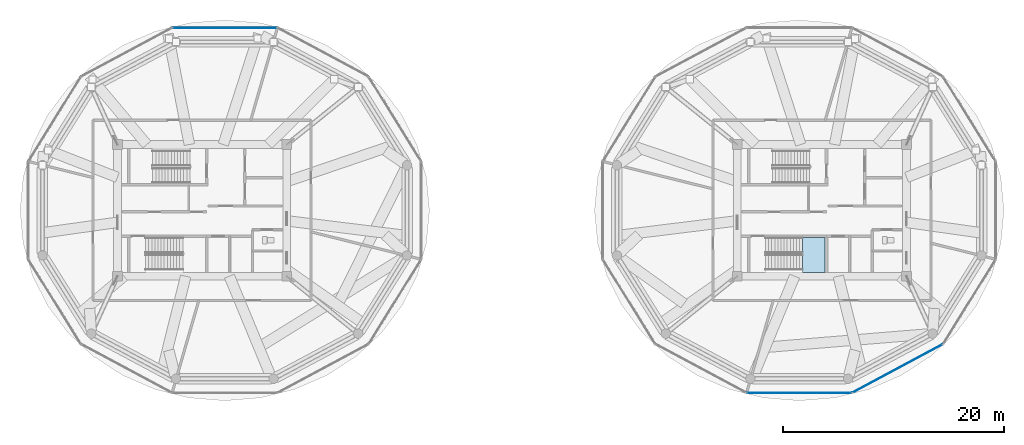
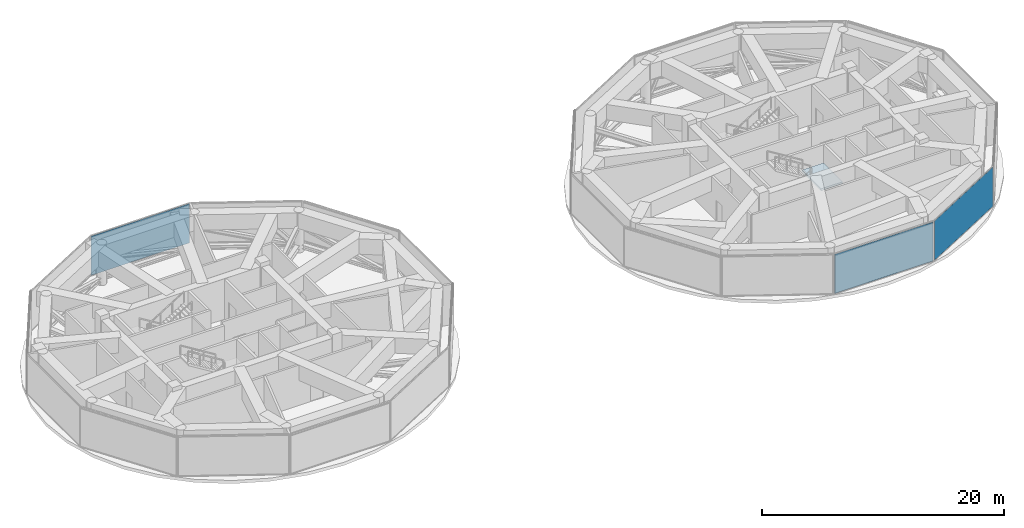
# One storey, part 14 of 23: 3 plates, 1 slab, 4 elements without a shape of their own.
"""IFC4 building model written with IfcOpenShell, lengths in metres."""

from ifc_helpers import new_model, si_unit, direction, frame, origin, origin_2d, place, context, subcontext, project, spatial, polyline, rectangle, outline, extrude, source, transform, mapped, material, layer, layer_set, type_object, type_shapes, element, aggregate, save


model = new_model("IFC4")

# Units and contexts
model_context = context("Model", 3, precision=1e-05, world=origin(), true_north=direction((0.0, 1.0)))
body_context = subcontext(model_context, "Body", "Model", "MODEL_VIEW")
ifc_project = project(units=[si_unit("LENGTHUNIT", "METRE"), si_unit("AREAUNIT", "SQUARE_METRE"), si_unit("VOLUMEUNIT", "CUBIC_METRE"), si_unit("PLANEANGLEUNIT", "RADIAN"), si_unit("MASSUNIT", "GRAM", prefix="KILO")], contexts=[model_context])

# Site, building, storey
site_placement = place(None, origin())
site = spatial("IfcSite", under=ifc_project, at=site_placement, CompositionType="ELEMENT")
building_placement = place(site_placement, origin())
building = spatial("IfcBuilding", under=site, at=building_placement, Name="Norrkilde Senior Care Towers", CompositionType="ELEMENT")
storey_placement = place(building_placement, frame((0.0, 0.0, 129.800048828125)))
storey = spatial("IfcBuildingStorey", under=building, at=storey_placement, Name="L40", CompositionType="ELEMENT", Elevation=129.800048828125)

# Stair, slab
ifc_material_1 = material(Name="Concrete C45/55", Category="concrete")
stair_type = type_object("IfcStairType", Name="Core Protected Dogleg Stair Refuge 4500", PredefinedType="HALF_TURN_STAIR", material=ifc_material_1)
stair_placement = place(storey_placement, origin())
stair = element("IfcStair", 1, at=stair_placement, inside=storey, type_object=stair_type, Name="L40 Protected Core Stair E2", PredefinedType="HALF_TURN_STAIR")
ifc_layer_1 = layer(ifc_material_1, 0.199951171875)
ifc_layer_set_1 = layer_set([ifc_layer_1], Name="Concrete C45/55")
slab_type = type_object("IfcSlabType", Name="Stair Landing Slab 200", PredefinedType="LANDING", material=ifc_layer_set_1)
slab_placement = place(storey_placement, frame((0.0, 0.0, 2.050048828125)))
slab = element("IfcSlab", 2, at=slab_placement, type_object=slab_type, Name="ST-E2 landing 1", PredefinedType="LANDING", context=body_context, shape_type="SweptSolid", body=[
    extrude(outline(polyline([(26.260009765625, -5.590087890625), (28.300048828125, -5.590087890625), (28.300048828125, -2.449951171875), (26.260009765625, -2.449951171875), (26.260009765625, -5.590087890625)])), origin(), (0.0, 0.0, 1.0), 0.199951171875),
])
aggregate(stair, [slab])

# Curtain wall, plate
ifc_material_2 = material(Name="Triple Low-E Insulated Glazing", Category="glass")
ifc_layer_2 = layer(ifc_material_2, 0.18505859375)
ifc_layer_set_2 = layer_set([ifc_layer_2], Name="Triple Low-E Insulated Glazing")
curtain_wall_type = type_object("IfcCurtainWallType", Name="CW6 Zone 4 Crown Pavilion Curtain Wall", PredefinedType="NOTDEFINED", material=ifc_layer_set_2)
curtain_wall_1_placement = place(storey_placement, origin())
curtain_wall_1 = element("IfcCurtainWall", 3, at=curtain_wall_1_placement, inside=storey, type_object=curtain_wall_type, Name="L40 Drum E Curtain Wall 09", PredefinedType="NOTDEFINED")
ifc_material_3 = material(Name="Architectural Terracotta", Category="masonry")
ifc_layer_3 = layer(ifc_material_3, 0.048095703125)
ifc_layer_set_3 = layer_set([ifc_layer_3], Name="Architectural Terracotta")
plate_type = type_object("IfcPlateType", Name="Insulated Terracotta Spandrel Panel 48", PredefinedType="CURTAIN_PANEL", material=ifc_layer_set_3)
shared_shape_1 = source(origin(), body_context, "Body", "SweptSolid", [
    extrude(rectangle(XDim=9.21044921875, YDim=0.048095703125, at=origin_2d()), origin(), (0.0, 0.0, 1.0), 3.949951171875),
])
plate_1_placement = place(storey_placement, frame((34.826904296875, -14.28759765625, 0.06494140625), z_axis=(0.0, 0.0, 1.0), x_axis=(-0.881186184668, -0.472769402511, 0.0)))
plate_1 = element("IfcPlate", 4, at=plate_1_placement, type_object=plate_type, Name="CW-6 panel 1.1", PredefinedType="CURTAIN_PANEL", context=body_context, shape_type="MappedRepresentation", body=[
    mapped(shared_shape_1, transform((0.0, 0.0, 0.0), x_axis=(1.0, 0.0, 0.0), y_axis=(0.0, 1.0, 0.0), z_axis=(0.0, 0.0, 1.0), scale=1.0)),
])
aggregate(curtain_wall_1, [plate_1])

curtain_wall_2_placement = place(storey_placement, origin())
curtain_wall_2 = element("IfcCurtainWall", 5, at=curtain_wall_2_placement, inside=storey, type_object=curtain_wall_type, Name="L40 Drum W Curtain Wall 02", PredefinedType="NOTDEFINED")
shared_shape_2 = source(origin(), body_context, "Body", "SweptSolid", [
    extrude(rectangle(XDim=9.374267578125, YDim=0.048095703125, at=origin_2d()), origin(), (0.0, 0.0, 1.0), 3.949951171875),
])
type_shapes(plate_type, [shared_shape_1, shared_shape_2])
plate_2_placement = place(storey_placement, frame((-25.949951171875, 16.498046875, 0.06494140625), z_axis=(0.0, 0.0, 1.0), x_axis=(1.0, 0.0, 0.0)))
plate_2 = element("IfcPlate", 6, at=plate_2_placement, type_object=plate_type, Name="CW-6 panel 1.1", PredefinedType="CURTAIN_PANEL", context=body_context, shape_type="MappedRepresentation", body=[
    mapped(shared_shape_2, transform((0.0, 0.0, 0.0), x_axis=(1.0, 0.0, 0.0), y_axis=(0.0, 1.0, 0.0), z_axis=(0.0, 0.0, 1.0), scale=1.0)),
])
aggregate(curtain_wall_2, [plate_2])

curtain_wall_3_placement = place(storey_placement, origin())
curtain_wall_3 = element("IfcCurtainWall", 7, at=curtain_wall_3_placement, inside=storey, type_object=curtain_wall_type, Name="L40 Drum E Curtain Wall 08", PredefinedType="NOTDEFINED")
plate_3_placement = place(storey_placement, frame((25.949951171875, -16.498046875, 0.06494140625), z_axis=(0.0, 0.0, 1.0), x_axis=(-1.0, 0.0, 0.0)))
plate_3 = element("IfcPlate", 8, at=plate_3_placement, type_object=plate_type, Name="CW-6 panel 1.1", PredefinedType="CURTAIN_PANEL", context=body_context, shape_type="MappedRepresentation", body=[
    mapped(shared_shape_2, transform((0.0, 0.0, 0.0), x_axis=(1.0, 0.0, 0.0), y_axis=(0.0, 1.0, 0.0), z_axis=(0.0, 0.0, 1.0), scale=1.0)),
])
aggregate(curtain_wall_3, [plate_3])

save(model, "model.ifc")
